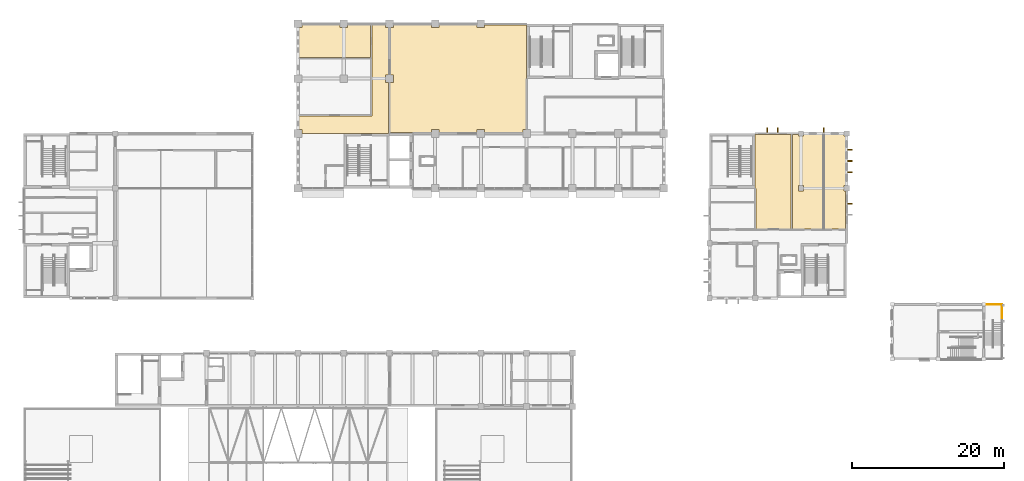
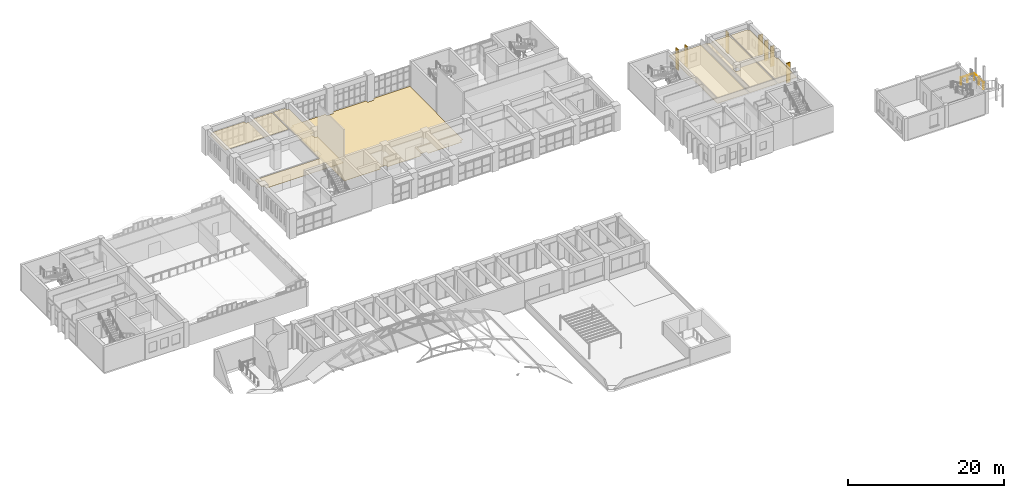
# One storey, part 90 of 92: 7 shading devices, 6 coverings, 1 railing.
"""IFC4 building model written with IfcOpenShell, lengths in metres."""

from ifc_helpers import new_model, si_unit, direction, frame, origin, origin_2d, place, context, subcontext, project, spatial, polyline, rectangle, circle, outline, extrude, material, layer, layer_set, type_object, element, save


model = new_model("IFC4")

# Units and contexts
model_context = context("Model", 3, precision=1e-05, world=origin(), true_north=direction((0.0, 1.0)))
body_context = subcontext(model_context, "Body", "Model", "MODEL_VIEW")
ifc_project = project(units=[si_unit("LENGTHUNIT", "METRE"), si_unit("AREAUNIT", "SQUARE_METRE"), si_unit("VOLUMEUNIT", "CUBIC_METRE"), si_unit("PLANEANGLEUNIT", "RADIAN"), si_unit("MASSUNIT", "GRAM", prefix="KILO")], contexts=[model_context])

# Site, building, storey
site_placement = place(None, origin())
site = spatial("IfcSite", under=ifc_project, at=site_placement, CompositionType="ELEMENT")
building_placement = place(site_placement, origin())
building = spatial("IfcBuilding", under=site, at=building_placement, Name="Laocheng Heights Fire and Rescue Headquarters", CompositionType="ELEMENT")
storey_placement = place(building_placement, frame((0.0, 0.0, 12.60009765625)))
storey = spatial("IfcBuildingStorey", under=building, at=storey_placement, Name="L03", CompositionType="ELEMENT", Elevation=12.60009765625)

# Shading devices
ifc_material_1 = material(Name="Precast concrete C40/50, light warm grey", Category="concrete")
ifc_layer_1 = layer(ifc_material_1, 0.14990234375)
ifc_layer_set_1 = layer_set([ifc_layer_1], Name="Precast concrete C40/50, light warm grey")
shading_device_type = type_object("IfcShadingDeviceType", Name="PRECAST VERTICAL FIN 150 x 600 DORMITORY", PredefinedType="AWNING", material=ifc_layer_set_1)
shading_device_1_placement = place(storey_placement, frame((108.449951171875, 48.373779296875, -0.000244140625), z_axis=(0.0, 0.0, 1.0), x_axis=(1.0, 0.0, 0.0)))
element("IfcShadingDevice", 1, at=shading_device_1_placement, inside=storey, type_object=shading_device_type, Name="FIN CREW L03", PredefinedType="AWNING", context=body_context, shape_type="SweptSolid", body=[
    extrude(rectangle(XDim=0.60009765625, YDim=0.14990234375, at=origin_2d()), origin(), (0.0, 0.0, 1.0), 3.10009765625),
])
for number, where, z_axis, x_axis, name in (
    (2, (108.449951171875, 52.52001953125, 0.0), (0.0, 0.0, 1.0), (1.0, 0.0, 0.0), "FIN CREW L03"),
    (3, (108.449951171875, 54.0, 0.0), (0.0, 0.0, 1.0), (1.0, 0.0, 0.0), "FIN CREW L03"),
    (4, (108.449951171875, 55.47998046875, 0.0), (0.0, 0.0, 1.0), (1.0, 0.0, 0.0), "FIN CREW L03"),
):
    element("IfcShadingDevice", number, at=place(storey_placement, frame(where, z_axis=z_axis, x_axis=x_axis)), inside=storey, type_object=shading_device_type, Name=name, PredefinedType="AWNING", context=body_context, shape_type="SweptSolid", body=[
        extrude(rectangle(XDim=0.60009765625, YDim=0.14990234375, at=origin_2d()), origin(), (0.0, 0.0, 1.0), 3.199951171875),
    ])
for number, where, z_axis, x_axis, name in (
    (5, (97.58251953125, 58.050048828125, 0.0), (0.0, 0.0, 1.0), (1.0, 0.0, 0.0), "FIN CREW L03"),
    (6, (98.9375, 58.050048828125, 0.0), (0.0, 0.0, 1.0), (1.0, 0.0, 0.0), "FIN CREW L03"),
):
    element("IfcShadingDevice", number, at=place(storey_placement, frame(where, z_axis=z_axis, x_axis=x_axis)), inside=storey, type_object=shading_device_type, Name=name, PredefinedType="AWNING", context=body_context, shape_type="SweptSolid", body=[
        extrude(rectangle(XDim=0.14990234375, YDim=0.60009765625, at=origin_2d()), origin(), (0.0, 0.0, 1.0), 3.199951171875),
    ])
shading_device_2_placement = place(storey_placement, frame((105.0, 58.050048828125, 0.0), z_axis=(0.0, 0.0, 1.0), x_axis=(1.0, 0.0, 0.0)))
element("IfcShadingDevice", 7, at=shading_device_2_placement, inside=storey, type_object=shading_device_type, Name="FIN CREW L03", PredefinedType="AWNING", context=body_context, shape_type="SweptSolid", body=[
    extrude(rectangle(XDim=0.14990234375, YDim=0.60009765625, at=origin_2d()), origin(), (0.0, 0.0, 1.0), 3.300048828125),
])

# Covering
ifc_material_2 = material(Name="Resilient floor sheet")
ifc_layer_2 = layer(ifc_material_2, 0.006103515625, Name="RESILIENT SHEET", Category="finish")
ifc_material_3 = material(Name="Cement levelling screed")
ifc_layer_3 = layer(ifc_material_3, 0.013916015625, Name="LEVELLING SCREED", Category="screed")
ifc_layer_set_2 = layer_set([ifc_layer_2, ifc_layer_3], Name="Resilient floor finish")
covering_type_1 = type_object("IfcCoveringType", Name="RESILIENT FLOOR FINISH 20 MM HQ WING", PredefinedType="FLOORING", material=ifc_layer_set_2)
covering_1_placement = place(storey_placement, origin())
element("IfcCovering", 8, at=covering_1_placement, inside=storey, type_object=covering_type_1, Name="Emergency Control Room flooring", PredefinedType="FLOORING", context=body_context, shape_type="SweptSolid", body=[
    extrude(outline(polyline([(65.89990234375, 64.800048828125), (65.89990234375, 58.10009765625), (65.5, 58.10009765625), (65.5, 57.699951171875), (60.5, 57.699951171875), (60.5, 58.10009765625), (59.5, 58.10009765625), (59.5, 57.699951171875), (54.5, 57.699951171875), (54.5, 58.10009765625), (53.5, 58.10009765625), (53.5, 57.699951171875), (51.125, 57.699951171875), (51.125, 57.72509765625), (50.875, 57.72509765625), (48.125, 57.72509765625), (48.10009765625, 57.72509765625), (48.10009765625, 64.300048828125), (48.5, 64.300048828125), (48.5, 65.300048828125), (48.10009765625, 65.300048828125), (48.10009765625, 71.5), (48.5, 71.5), (48.5, 71.85009765625), (53.5, 71.85009765625), (53.5, 71.5), (54.5, 71.5), (54.5, 71.85009765625), (59.5, 71.85009765625), (59.5, 71.5), (60.5, 71.5), (60.5, 71.85009765625), (66.0, 71.85009765625), (66.0, 64.800048828125), (65.89990234375, 64.800048828125)])), origin(), (0.0, 0.0, 1.0), 0.02001953125),
])

# Railing
ifc_material_4 = material(Name="Steel Q355B", Category="steel")
railing_type = type_object("IfcRailingType", Name="STAIR GUARD 1100", PredefinedType="GUARDRAIL", material=ifc_material_4)
railing_placement = place(storey_placement, frame((128.3701171875, 32.800048828125, 1.39990234375)))
element("IfcRailing", 9, at=railing_placement, inside=storey, type_object=railing_type, Name="Stair T2 guard F5 landing edge", PredefinedType="GUARDRAIL", context=body_context, shape_type="SweptSolid", body=[
    extrude(circle(Radius=0.02392578125, at=origin_2d()), frame((0.0, 0.0, 1.076171875), z_axis=(0.0, 1.0, 0.0), x_axis=(-1.0, 0.0, 0.0)), (0.0, 0.0, 1.0), 2.369873046875),
    extrude(circle(Radius=0.02392578125, at=origin_2d()), frame((0.0, 2.369873046875, 1.076171875), z_axis=(-1.0, 0.0, 0.0), x_axis=(0.0, -1.0, 0.0)), (0.0, 0.0, 1.0), 1.97021484375),
    extrude(circle(Radius=0.02099609375, at=origin_2d()), origin(), (0.0, 0.0, 1.0), 1.052001953125),
    extrude(circle(Radius=0.02099609375, at=origin_2d()), frame((0.0, 1.18505859375, 0.0)), (0.0, 0.0, 1.0), 1.052001953125),
    extrude(circle(Radius=0.02099609375, at=origin_2d()), frame((0.0, 2.369873046875, 0.0)), (0.0, 0.0, 1.0), 1.052001953125),
    extrude(circle(Radius=0.02099609375, at=origin_2d()), frame((-0.985107421875, 2.369873046875, 0.0)), (0.0, 0.0, 1.0), 1.052001953125),
    extrude(circle(Radius=0.02099609375, at=origin_2d()), frame((-1.97021484375, 2.369873046875, 0.0)), (0.0, 0.0, 1.0), 1.052001953125),
])

# Coverings
ifc_material_5 = material(Name="Mineral fibre ceiling tile")
ifc_layer_4 = layer(ifc_material_5, 0.0400390625)
ifc_layer_set_3 = layer_set([ifc_layer_4], Name="Mineral fibre ceiling tile")
covering_type_2 = type_object("IfcCoveringType", Name="SUSPENDED CEILING MINERAL FIBRE TILE CREW WING", PredefinedType="CEILING", material=ifc_layer_set_3)
covering_2_placement = place(storey_placement, frame((0.0, 0.0, 3.0)))
element("IfcCovering", 10, at=covering_2_placement, inside=storey, type_object=covering_type_2, Name="Crew Briefing Room ceiling", PredefinedType="CEILING", context=body_context, shape_type="SweptSolid", body=[
    extrude(outline(polyline([(100.72509765625, 57.449951171875), (100.72509765625, 45.074951171875), (96.074951171875, 45.074951171875), (96.074951171875, 50.39990234375), (96.0, 50.39990234375), (96.0, 57.449951171875), (100.72509765625, 57.449951171875)])), origin(), (0.0, 0.0, 1.0), 0.039794921875),
])
covering_3_placement = place(storey_placement, frame((0.0, 0.0, 3.0)))
element("IfcCovering", 11, at=covering_3_placement, inside=storey, type_object=covering_type_2, Name="Station Officers' Room ceiling", PredefinedType="CEILING", context=body_context, shape_type="SweptSolid", body=[
    extrude(outline(polyline([(100.875, 57.449951171875), (101.64990234375, 57.449951171875), (101.64990234375, 57.25), (102.35009765625, 57.25), (102.35009765625, 57.449951171875), (104.93994140625, 57.449951171875), (104.93994140625, 45.074951171875), (100.875, 45.074951171875), (100.875, 57.449951171875)]), holes=[polyline([(101.64990234375, 50.75), (101.64990234375, 50.050048828125), (102.35009765625, 50.050048828125), (102.35009765625, 50.75), (101.64990234375, 50.75)])]), origin(), (0.0, 0.0, 1.0), 0.039794921875),
])
covering_4_placement = place(storey_placement, frame((0.0, 0.0, 3.0)))
element("IfcCovering", 12, at=covering_4_placement, inside=storey, type_object=covering_type_2, Name="First Aid and Medical Room ceiling", PredefinedType="CEILING", context=body_context, shape_type="SweptSolid", body=[
    extrude(outline(polyline([(105.06005859375, 57.449951171875), (107.64990234375, 57.449951171875), (107.64990234375, 57.25), (107.85009765625, 57.25), (107.85009765625, 50.75), (107.64990234375, 50.75), (107.64990234375, 50.050048828125), (107.85009765625, 50.050048828125), (107.85009765625, 45.074951171875), (105.06005859375, 45.074951171875), (105.06005859375, 57.449951171875)])), origin(), (0.0, 0.0, 1.0), 0.039794921875),
])
ifc_material_6 = material(Name="Mineral fibre ceiling tile")
ifc_layer_5 = layer(ifc_material_6, 0.0400390625)
ifc_layer_set_4 = layer_set([ifc_layer_5], Name="Mineral fibre ceiling tile")
covering_type_3 = type_object("IfcCoveringType", Name="SUSPENDED CEILING MINERAL FIBRE TILE HQ WING", PredefinedType="CEILING", material=ifc_layer_set_4)
covering_5_placement = place(storey_placement, frame((0.0, 0.0, 3.0)))
element("IfcCovering", 13, at=covering_5_placement, inside=storey, type_object=covering_type_3, Name="Circulation West ceiling", PredefinedType="CEILING", context=body_context, shape_type="SweptSolid", body=[
    extrude(outline(polyline([(36.14990234375, 59.925048828125), (45.52490234375, 59.925048828125), (45.675048828125, 59.925048828125), (45.675048828125, 71.85009765625), (47.5, 71.85009765625), (47.5, 71.5), (47.89990234375, 71.5), (47.89990234375, 65.300048828125), (47.5, 65.300048828125), (47.5, 64.300048828125), (47.89990234375, 64.300048828125), (47.89990234375, 57.72509765625), (47.875, 57.72509765625), (47.875, 57.60009765625), (36.5, 57.60009765625), (36.5, 58.10009765625), (36.14990234375, 58.10009765625), (36.14990234375, 59.925048828125)])), origin(), (0.0, 0.0, 1.0), 0.039794921875),
])
covering_6_placement = place(storey_placement, frame((0.0, 0.0, 3.0)))
element("IfcCovering", 14, at=covering_6_placement, inside=storey, type_object=covering_type_3, Name="Press and Media Room ceiling", PredefinedType="CEILING", context=body_context, shape_type="SweptSolid", body=[
    extrude(outline(polyline([(41.5, 71.85009765625), (41.5, 71.5), (42.5, 71.5), (42.5, 71.85009765625), (45.52490234375, 71.85009765625), (45.52490234375, 67.574951171875), (36.14990234375, 67.574951171875), (36.14990234375, 71.5), (36.5, 71.5), (36.5, 71.85009765625), (41.5, 71.85009765625)])), origin(), (0.0, 0.0, 1.0), 0.039794921875),
])

save(model, "model.ifc")
